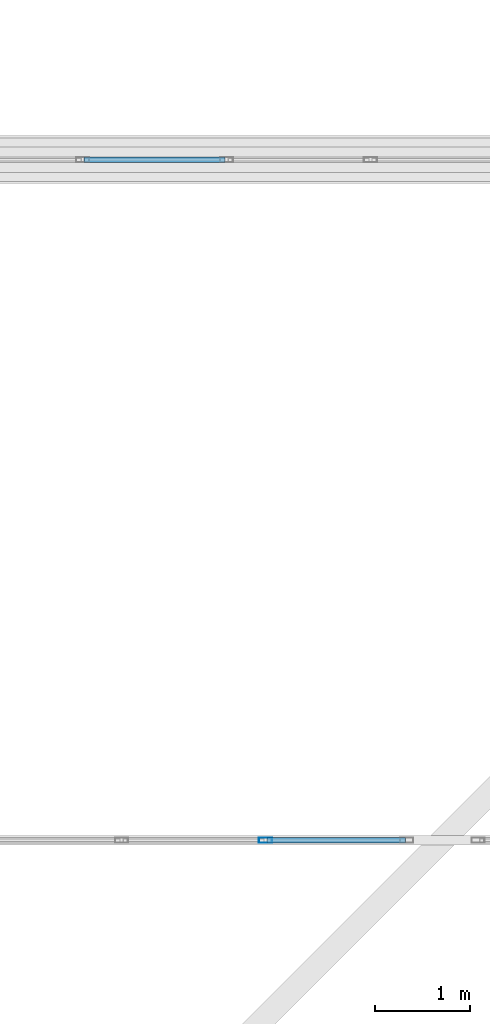
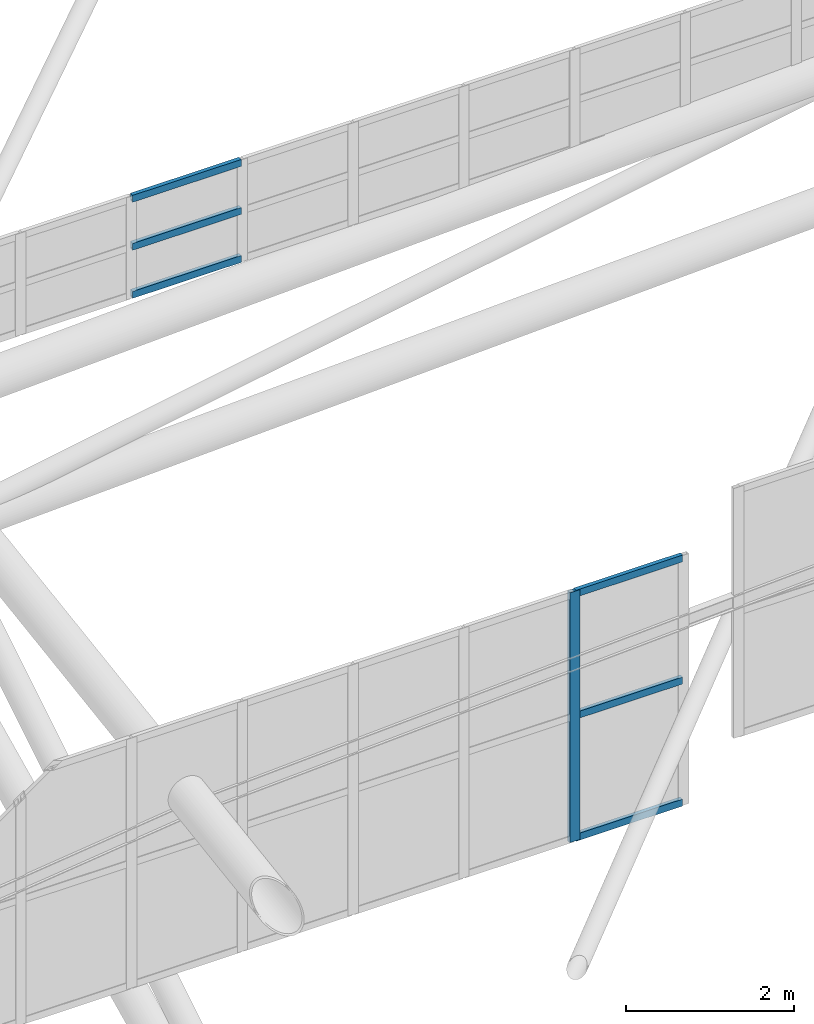
# One storey, part 38 of 397: 7 members, 2 elements without a shape of their own.
"""IFC4 building model written with IfcOpenShell, lengths in metres."""

from ifc_helpers import new_model, si_unit, direction, frame, origin, origin_2d, place, context, subcontext, project, spatial, hollow_rectangle, extrude, material, material_profile, profile_set, type_object, element, aggregate, save


model = new_model("IFC4")

# Units and contexts
model_context = context("Model", 3, precision=1e-05, world=origin(), true_north=direction((0.0, 1.0)))
body_context = subcontext(model_context, "Body", "Model", "MODEL_VIEW")
ifc_project = project(units=[si_unit("LENGTHUNIT", "METRE"), si_unit("AREAUNIT", "SQUARE_METRE"), si_unit("VOLUMEUNIT", "CUBIC_METRE"), si_unit("PLANEANGLEUNIT", "RADIAN"), si_unit("MASSUNIT", "GRAM", prefix="KILO")], contexts=[model_context])

# Site, building, storey
site_placement = place(None, origin())
site = spatial("IfcSite", under=ifc_project, at=site_placement, CompositionType="ELEMENT")
building_placement = place(site_placement, origin())
building = spatial("IfcBuilding", under=site, at=building_placement, Name="Qandorah Velis Arena", CompositionType="ELEMENT")
storey_placement = place(building_placement, frame((0.0, 0.0, 27.5)))
storey = spatial("IfcBuildingStorey", under=building, at=storey_placement, Name="RF", CompositionType="ELEMENT", Elevation=27.5)

# Curtain wall, members
ifc_material_1 = material(Name="Solar-control low-E double glazing", Category="glass")
curtain_wall_type_1 = type_object("IfcCurtainWallType", Name="ARC-CW-SYS20", PredefinedType="USERDEFINED", material=ifc_material_1)
curtain_wall_1_placement = place(storey_placement, origin())
curtain_wall_1 = element("IfcCurtainWall", 1, at=curtain_wall_1_placement, inside=storey, type_object=curtain_wall_type_1, Name="Unitised curtain wall MON-3-2", ObjectType="UNITISED CURTAIN WALL", PredefinedType="USERDEFINED")
ifc_material_2 = material(Name="Champagne-bronze anodized aluminium 6063-T6", Category="aluminium")
ifc_material_profile_1 = material_profile(ifc_material_2, hollow_rectangle(XDim=0.054931640625, YDim=0.139892578125, WallThickness=0.0029296875, at=origin_2d()), Name="ALU MULLION 55x140")
ifc_profile_set_1 = profile_set([ifc_material_profile_1], Name="Champagne-bronze anodized aluminium 6063-T6")
member_type_1 = type_object("IfcMemberType", Name="ARC-CWM-140", PredefinedType="MULLION", material=ifc_profile_set_1)
member_1_placement = place(storey_placement, frame((48.52783203125, 21.60009765625, 5.337646484375), z_axis=(0.0, 0.0, 1.0), x_axis=(0.0, 1.0, 0.0)))
member_1 = element("IfcMember", 2, at=member_1_placement, type_object=member_type_1, Name="CW20 mullion 9", PredefinedType="MULLION", context=body_context, shape_type="SweptSolid", body=[
    extrude(hollow_rectangle(XDim=0.054931640625, YDim=0.139892578125, WallThickness=0.0029296875, at=origin_2d()), origin(), (0.0, 0.0, 1.0), 3.630126953125),
])
ifc_material_profile_2 = material_profile(ifc_material_2, hollow_rectangle(XDim=0.054931640625, YDim=0.10009765625, WallThickness=0.0029296875, at=origin_2d()), Name="ALU TRANSOM 55x100")
ifc_profile_set_2 = profile_set([ifc_material_profile_2], Name="Champagne-bronze anodized aluminium 6063-T6")
member_type_2 = type_object("IfcMemberType", Name="ARC-CWT-100", PredefinedType="USERDEFINED", material=ifc_profile_set_2)
member_2_placement = place(storey_placement, frame((48.543212890625, 21.60009765625, 5.380126953125), z_axis=(1.0, 0.0, 0.0), x_axis=(0.0, 1.0, 0.0)))
member_2 = element("IfcMember", 3, at=member_2_placement, type_object=member_type_2, Name="CW20 transom 9.1", ObjectType="TRANSOM", PredefinedType="USERDEFINED", context=body_context, shape_type="SweptSolid", body=[
    extrude(hollow_rectangle(XDim=0.054931640625, YDim=0.10009765625, WallThickness=0.0029296875, at=origin_2d()), origin(), (0.0, 0.0, 1.0), 1.4638671875),
])
member_3_placement = place(storey_placement, frame((48.543212890625, 21.60009765625, 7.152587890625), z_axis=(1.0, 0.0, 0.0), x_axis=(0.0, 1.0, 0.0)))
member_3 = element("IfcMember", 4, at=member_3_placement, type_object=member_type_2, Name="CW20 transom 9.2", ObjectType="TRANSOM", PredefinedType="USERDEFINED", context=body_context, shape_type="SweptSolid", body=[
    extrude(hollow_rectangle(XDim=0.054931640625, YDim=0.10009765625, WallThickness=0.0029296875, at=origin_2d()), origin(), (0.0, 0.0, 1.0), 1.4638671875),
])
member_4_placement = place(storey_placement, frame((48.543212890625, 21.60009765625, 8.92529296875), z_axis=(1.0, 0.0, 0.0), x_axis=(0.0, 1.0, 0.0)))
member_4 = element("IfcMember", 5, at=member_4_placement, type_object=member_type_2, Name="CW20 transom 9.3", ObjectType="TRANSOM", PredefinedType="USERDEFINED", context=body_context, shape_type="SweptSolid", body=[
    extrude(hollow_rectangle(XDim=0.054931640625, YDim=0.10009765625, WallThickness=0.0029296875, at=origin_2d()), origin(), (0.0, 0.0, 1.0), 1.4638671875),
])
aggregate(curtain_wall_1, [member_1, member_2, member_3, member_4])

curtain_wall_type_2 = type_object("IfcCurtainWallType", Name="ARC-CW-SYS17", PredefinedType="USERDEFINED", material=ifc_material_1)
curtain_wall_2_placement = place(storey_placement, origin())
curtain_wall_2 = element("IfcCurtainWall", 6, at=curtain_wall_2_placement, inside=storey, type_object=curtain_wall_type_2, Name="Unitised curtain wall OCULUS-3-2", ObjectType="UNITISED CURTAIN WALL", PredefinedType="USERDEFINED")
member_5_placement = place(storey_placement, frame((46.60986328125, 28.800048828125, 9.57666015625), z_axis=(1.0, 0.0, 0.0), x_axis=(0.0, 1.0, 0.0)))
member_5 = element("IfcMember", 7, at=member_5_placement, type_object=member_type_2, Name="CW17 transom 3.1", ObjectType="TRANSOM", PredefinedType="USERDEFINED", context=body_context, shape_type="SweptSolid", body=[
    extrude(hollow_rectangle(XDim=0.054931640625, YDim=0.10009765625, WallThickness=0.0029296875, at=origin_2d()), origin(), (0.0, 0.0, 1.0), 1.491455078125),
])
member_6_placement = place(storey_placement, frame((46.60986328125, 28.800048828125, 10.274658203125), z_axis=(1.0, 0.0, 0.0), x_axis=(0.0, 1.0, 0.0)))
member_6 = element("IfcMember", 8, at=member_6_placement, type_object=member_type_2, Name="CW17 transom 3.2", ObjectType="TRANSOM", PredefinedType="USERDEFINED", context=body_context, shape_type="SweptSolid", body=[
    extrude(hollow_rectangle(XDim=0.054931640625, YDim=0.10009765625, WallThickness=0.0029296875, at=origin_2d()), origin(), (0.0, 0.0, 1.0), 1.491455078125),
])
member_7_placement = place(storey_placement, frame((46.60986328125, 28.800048828125, 10.972412109375), z_axis=(1.0, 0.0, 0.0), x_axis=(0.0, 1.0, 0.0)))
member_7 = element("IfcMember", 9, at=member_7_placement, type_object=member_type_2, Name="CW17 transom 3.3", ObjectType="TRANSOM", PredefinedType="USERDEFINED", context=body_context, shape_type="SweptSolid", body=[
    extrude(hollow_rectangle(XDim=0.054931640625, YDim=0.10009765625, WallThickness=0.0029296875, at=origin_2d()), origin(), (0.0, 0.0, 1.0), 1.491455078125),
])
aggregate(curtain_wall_2, [member_5, member_6, member_7])

save(model, "model.ifc")
